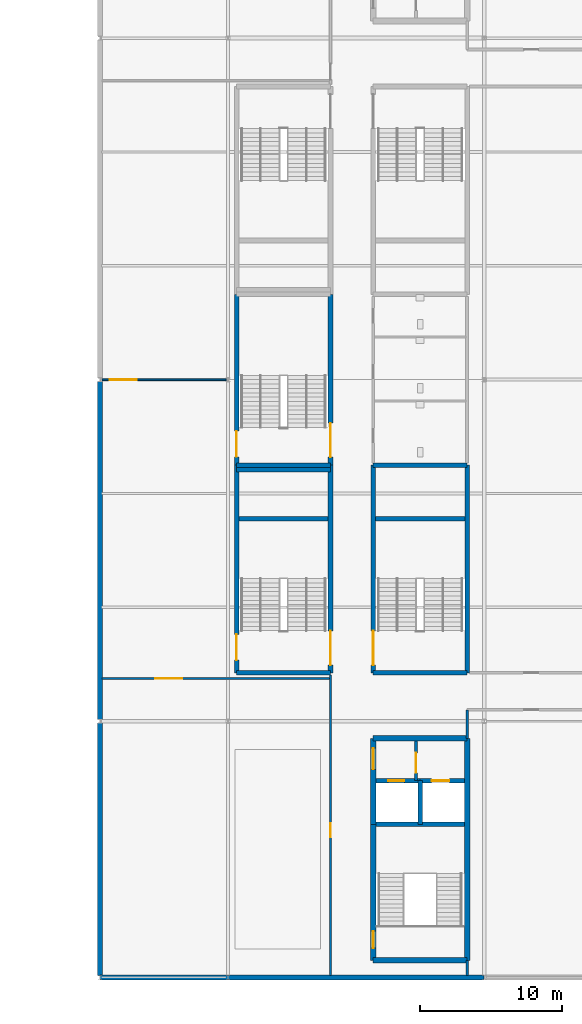
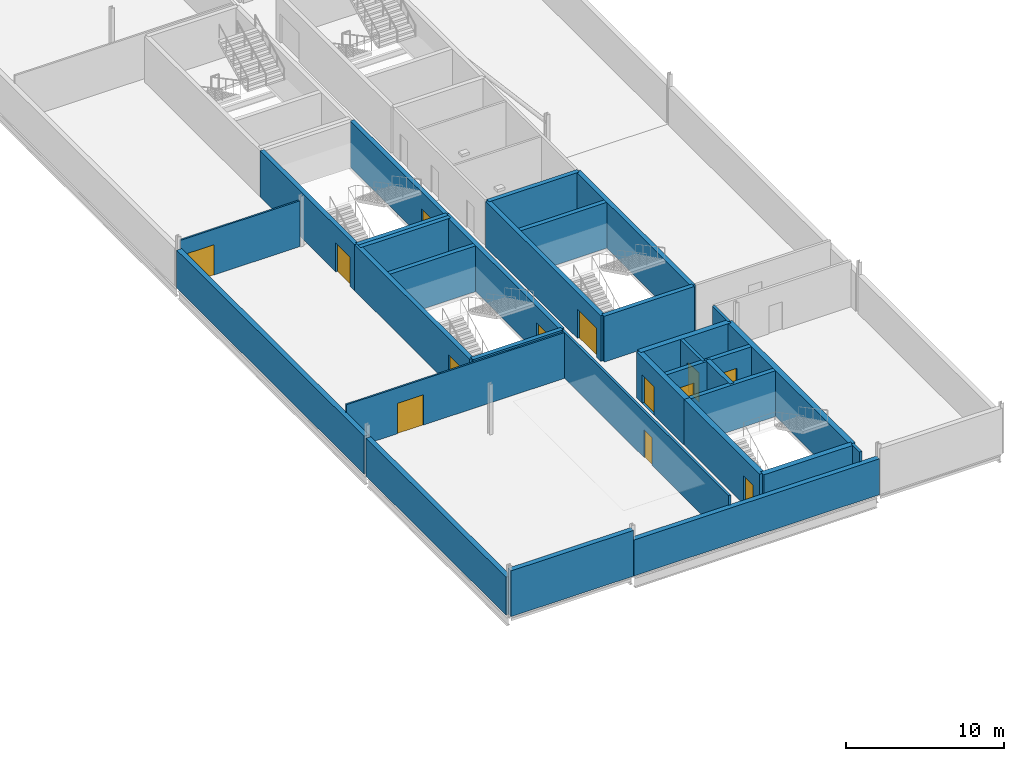
# One storey, part 17 of 30: 32 walls, 13 doors, 13 openings.
"""IFC4 building model written with IfcOpenShell, lengths in metres."""

from ifc_helpers import new_model, si_unit, direction, frame, frame_2d, origin, place, context, subcontext, project, spatial, rectangle, extrude, material, layer, layer_set, type_object, element, fill, save


model = new_model("IFC4")

# Units and contexts
model_context = context("Model", 3, precision=1e-05, world=origin(), true_north=direction((0.0, 1.0)))
body_context = subcontext(model_context, "Body", "Model", "MODEL_VIEW")
ifc_project = project(units=[si_unit("LENGTHUNIT", "METRE"), si_unit("AREAUNIT", "SQUARE_METRE"), si_unit("VOLUMEUNIT", "CUBIC_METRE"), si_unit("PLANEANGLEUNIT", "RADIAN"), si_unit("MASSUNIT", "GRAM", prefix="KILO")], contexts=[model_context])

# Site, building, storey
site_placement = place(None, origin())
site = spatial("IfcSite", under=ifc_project, at=site_placement, CompositionType="ELEMENT")
building_placement = place(site_placement, origin())
building = spatial("IfcBuilding", under=site, at=building_placement, Name="Kisiwana Market Hall", CompositionType="ELEMENT")
storey_placement = place(building_placement, frame((0.0, 0.0, 54.0)))
storey = spatial("IfcBuildingStorey", under=building, at=storey_placement, Name="L12", CompositionType="ELEMENT", Elevation=54.0)

# Wall, opening, door
ifc_material_1 = material(Name="Masonry blockwork", Category="masonry")
ifc_layer_1 = layer(ifc_material_1, 0.199951171875, Name="Plastered fire compartment block wall")
ifc_layer_set_1 = layer_set([ifc_layer_1], Name="WL-COMP-200")
wall_type_1 = type_object("IfcWallType", Name="WL-COMP-200", PredefinedType="PARTITIONING", material=ifc_layer_set_1)
wall_1_placement = place(storey_placement, frame((184.199951171875, 31.820068359375, 0.0), z_axis=(0.0, 0.0, 1.0), x_axis=(0.0, 1.0, 0.0)))
wall_1 = element("IfcWall", 1, at=wall_1_placement, inside=storey, type_object=wall_type_1, Name="Core E2 firefighting lobby wall W-3013", PredefinedType="PARTITIONING", context=body_context, shape_type="SweptSolid", body=[
    extrude(rectangle(XDim=2.780029296875, YDim=0.199951171875, at=frame_2d((1.39013671875, 0.0))), origin(), (0.0, 0.0, 1.0), 3.544921875),
])
opening_1_placement = place(wall_1_placement, frame((0.550048828125, 0.0, 0.0)))
opening_1 = element("IfcOpeningElement", 2, at=opening_1_placement, cuts=wall_1, Name="Opening DR-L12-009", PredefinedType="OPENING", context=body_context, shape_type="SweptSolid", body=[
    extrude(rectangle(XDim=1.39990234375, YDim=2.25, at=frame_2d((0.699951171875, 1.125))), frame((0.0, 0.11181640625, 0.0), z_axis=(0.0, -1.0, 0.0), x_axis=(1.0, 0.0, 0.0)), (0.0, 0.0, 1.0), 0.223876953125),
])
ifc_material_2 = material(Name="Steel S275", Category="steel")
door_type_1 = type_object("IfcDoorType", Name="DR-FFLOB-FD120-1400", OperationType="DOUBLE_DOOR_SINGLE_SWING", PredefinedType="DOOR", material=ifc_material_2)
door_1_placement = place(opening_1_placement, origin())
door_1 = element("IfcDoor", 3, at=door_1_placement, inside=storey, type_object=door_type_1, Name="Firefighting Lift Lobby E2 Door (L12)", OperationType="DOUBLE_DOOR_SINGLE_SWING", OverallHeight=2.25, OverallWidth=1.39990234375, PredefinedType="DOOR", context=body_context, shape_type="SweptSolid", body=[
    extrude(rectangle(XDim=1.39990234375, YDim=2.25, at=frame_2d((0.699951171875, 1.125))), frame((0.0, 0.02490234375, 0.0), z_axis=(0.0, -1.0, 0.0), x_axis=(1.0, 0.0, 0.0)), (0.0, 0.0, 1.0), 0.050048828125),
])
fill(opening_1, door_1)

# Walls
ifc_material_3 = material(Name="Concrete C40/50", Category="concrete")
ifc_layer_2 = layer(ifc_material_3, 0.320068359375, Name="Reinforced concrete shaft wall")
ifc_layer_set_2 = layer_set([ifc_layer_2], Name="WL-CORE-320")
wall_type_2 = type_object("IfcWallType", Name="WL-CORE-320", PredefinedType="SHEAR", material=ifc_layer_set_2)
wall_2_placement = place(storey_placement, frame((181.39990234375, 28.760009765625, 0.0), z_axis=(0.0, 0.0, 1.0), x_axis=(1.0, 0.0, 0.0)))
element("IfcWall", 4, at=wall_2_placement, inside=storey, type_object=wall_type_2, Name="Core E2 shaft back shear wall W-2922", PredefinedType="SHEAR", context=body_context, shape_type="SweptSolid", body=[
    extrude(rectangle(XDim=6.2001953125, YDim=0.320068359375, at=frame_2d((3.10009765625, 0.0))), origin(), (0.0, 0.0, 1.0), 3.544921875),
])
wall_3_placement = place(storey_placement, frame((184.5, 28.760009765625, 0.0), z_axis=(0.0, 0.0, 1.0), x_axis=(0.0, 1.0, 0.0)))
element("IfcWall", 5, at=wall_3_placement, inside=storey, type_object=wall_type_2, Name="Core E2 inter-shaft shear wall W-2923", PredefinedType="SHEAR", context=body_context, shape_type="SweptSolid", body=[
    extrude(rectangle(XDim=3.06005859375, YDim=0.320068359375, at=frame_2d((1.530029296875, 0.0))), origin(), (0.0, 0.0, 1.0), 3.544921875),
])

# Wall, opening, door
wall_4_placement = place(storey_placement, frame((181.39990234375, 31.820068359375, 0.0), z_axis=(0.0, 0.0, 1.0), x_axis=(1.0, 0.0, 0.0)))
wall_4 = element("IfcWall", 6, at=wall_4_placement, inside=storey, type_object=wall_type_2, Name="Core E2 west lift front wall W-2924", PredefinedType="SHEAR", context=body_context, shape_type="SweptSolid", body=[
    extrude(rectangle(XDim=3.10009765625, YDim=0.320068359375, at=frame_2d((1.550048828125, 0.0))), origin(), (0.0, 0.0, 1.0), 3.544921875),
])
opening_2_placement = place(wall_4_placement, frame((0.85009765625, 0.0, 0.0)))
opening_2 = element("IfcOpeningElement", 7, at=opening_2_placement, cuts=wall_4, Name="Opening LD-L12-005", PredefinedType="OPENING", context=body_context, shape_type="SweptSolid", body=[
    extrude(rectangle(XDim=1.14990234375, YDim=2.199951171875, at=frame_2d((0.574951171875, 1.10009765625))), frame((0.0, 0.171875, 0.0), z_axis=(0.0, -1.0, 0.0), x_axis=(1.0, 0.0, 0.0)), (0.0, 0.0, 1.0), 0.343994140625),
])
ifc_material_4 = material(Name="Steel S275", Category="steel")
door_type_2 = type_object("IfcDoorType", Name="DR-LIFT-PAX-1150", OperationType="DOUBLE_DOOR_SLIDING", PredefinedType="DOOR", material=ifc_material_4)
door_2_placement = place(opening_2_placement, origin())
door_2 = element("IfcDoor", 8, at=door_2_placement, inside=storey, type_object=door_type_2, Name="Lift Landing Door LP-03 (L12)", OperationType="DOUBLE_DOOR_SLIDING", OverallHeight=2.199951171875, OverallWidth=1.14990234375, PredefinedType="DOOR", context=body_context, shape_type="SweptSolid", body=[
    extrude(rectangle(XDim=1.14990234375, YDim=2.199951171875, at=frame_2d((0.574951171875, 1.10009765625))), frame((0.0, 0.02490234375, 0.0), z_axis=(0.0, -1.0, 0.0), x_axis=(1.0, 0.0, 0.0)), (0.0, 0.0, 1.0), 0.050048828125),
])
fill(opening_2, door_2)

wall_5_placement = place(storey_placement, frame((184.5, 31.820068359375, 0.0), z_axis=(0.0, 0.0, 1.0), x_axis=(1.0, 0.0, 0.0)))
wall_5 = element("IfcWall", 9, at=wall_5_placement, inside=storey, type_object=wall_type_2, Name="Core E2 east lift front wall W-2925", PredefinedType="SHEAR", context=body_context, shape_type="SweptSolid", body=[
    extrude(rectangle(XDim=3.10009765625, YDim=0.320068359375, at=frame_2d((1.550048828125, 0.0))), origin(), (0.0, 0.0, 1.0), 3.544921875),
])
opening_3_placement = place(wall_5_placement, frame((0.800048828125, 0.0, 0.0)))
opening_3 = element("IfcOpeningElement", 10, at=opening_3_placement, cuts=wall_5, Name="Opening LD-L12-006", PredefinedType="OPENING", context=body_context, shape_type="SweptSolid", body=[
    extrude(rectangle(XDim=1.25, YDim=2.25, at=frame_2d((0.625, 1.125))), frame((0.0, 0.171875, 0.0), z_axis=(0.0, -1.0, 0.0), x_axis=(1.0, 0.0, 0.0)), (0.0, 0.0, 1.0), 0.343994140625),
])
ifc_material_5 = material(Name="Steel S275", Category="steel")
door_type_3 = type_object("IfcDoorType", Name="DR-LIFT-FFL-1250", OperationType="DOUBLE_DOOR_SLIDING", PredefinedType="DOOR", material=ifc_material_5)
door_3_placement = place(opening_3_placement, origin())
door_3 = element("IfcDoor", 11, at=door_3_placement, inside=storey, type_object=door_type_3, Name="Lift Landing Door FFL-03 (L12)", OperationType="DOUBLE_DOOR_SLIDING", OverallHeight=2.25, OverallWidth=1.25, PredefinedType="DOOR", context=body_context, shape_type="SweptSolid", body=[
    extrude(rectangle(XDim=1.25, YDim=2.25, at=frame_2d((0.625, 1.125))), frame((0.0, 0.02490234375, 0.0), z_axis=(0.0, -1.0, 0.0), x_axis=(1.0, 0.0, 0.0)), (0.0, 0.0, 1.0), 0.050048828125),
])
fill(opening_3, door_3)

# Walls
for number, where, z_axis, x_axis, name in (
    (12, (181.199951171875, 39.39990234375, 0.0), (0.0, 0.0, 1.0), (1.0, 0.0, 0.0), "Core E3 south shear wall W-2945"),
    (13, (181.199951171875, 54.0, 0.0), (0.0, 0.0, 1.0), (1.0, 0.0, 0.0), "Core E3 north shear wall W-2946"),
):
    element("IfcWall", number, at=place(storey_placement, frame(where, z_axis=z_axis, x_axis=x_axis)), inside=storey, type_object=wall_type_2, Name=name, PredefinedType="SHEAR", context=body_context, shape_type="SweptSolid", body=[
        extrude(rectangle(XDim=6.60009765625, YDim=0.320068359375, at=frame_2d((3.300048828125, 0.0))), origin(), (0.0, 0.0, 1.0), 3.544921875),
    ])

# Wall, opening, door
wall_6_placement = place(storey_placement, frame((181.199951171875, 39.39990234375, 0.0), z_axis=(0.0, 0.0, 1.0), x_axis=(0.0, 1.0, 0.0)))
wall_6 = element("IfcWall", 14, at=wall_6_placement, inside=storey, type_object=wall_type_2, Name="Core E3 corridor shear wall W-2947", PredefinedType="SHEAR", context=body_context, shape_type="SweptSolid", body=[
    extrude(rectangle(XDim=14.60009765625, YDim=0.320068359375, at=frame_2d((7.300048828125, 0.0))), origin(), (0.0, 0.0, 1.0), 3.544921875),
])
opening_4_placement = place(wall_6_placement, frame((0.550048828125, 0.0, 0.0)))
opening_4 = element("IfcOpeningElement", 15, at=opening_4_placement, cuts=wall_6, Name="Opening DR-L12-015", PredefinedType="OPENING", context=body_context, shape_type="SweptSolid", body=[
    extrude(rectangle(XDim=2.39990234375, YDim=2.25, at=frame_2d((1.199951171875, 1.125))), frame((0.0, 0.171875, 0.0), z_axis=(0.0, -1.0, 0.0), x_axis=(1.0, 0.0, 0.0)), (0.0, 0.0, 1.0), 0.343994140625),
])
ifc_material_6 = material(Name="Steel S275", Category="steel")
door_type_4 = type_object("IfcDoorType", Name="DR-STAIR-FD120-2400", OperationType="DOUBLE_DOOR_SINGLE_SWING", PredefinedType="DOOR", material=ifc_material_6)
door_4_placement = place(opening_4_placement, frame((2.39990234375, 0.0, 0.0), z_axis=(0.0, 0.0, 1.0), x_axis=(-1.0, 0.0, 0.0)))
door_4 = element("IfcDoor", 16, at=door_4_placement, inside=storey, type_object=door_type_4, Name="Escape Stair E3 Fire Door (L12)", OperationType="DOUBLE_DOOR_SINGLE_SWING", OverallHeight=2.25, OverallWidth=2.39990234375, PredefinedType="DOOR", context=body_context, shape_type="SweptSolid", body=[
    extrude(rectangle(XDim=2.39990234375, YDim=2.25, at=frame_2d((1.199951171875, 1.125))), frame((0.0, 0.02490234375, 0.0), z_axis=(0.0, -1.0, 0.0), x_axis=(1.0, 0.0, 0.0)), (0.0, 0.0, 1.0), 0.050048828125),
])
fill(opening_4, door_4)

# Walls
wall_7_placement = place(storey_placement, frame((187.800048828125, 39.39990234375, 0.0), z_axis=(0.0, 0.0, 1.0), x_axis=(0.0, 1.0, 0.0)))
element("IfcWall", 17, at=wall_7_placement, inside=storey, type_object=wall_type_2, Name="Core E3 outer shear wall W-2948", PredefinedType="SHEAR", context=body_context, shape_type="SweptSolid", body=[
    extrude(rectangle(XDim=14.60009765625, YDim=0.320068359375, at=frame_2d((7.300048828125, 0.0))), origin(), (0.0, 0.0, 1.0), 3.544921875),
])
wall_8_placement = place(storey_placement, frame((181.360107421875, 50.219970703125, 0.0), z_axis=(0.0, 0.0, 1.0), x_axis=(1.0, 0.0, 0.0)))
element("IfcWall", 18, at=wall_8_placement, inside=storey, type_object=wall_type_2, Name="Core E3 riser divider shear wall W-2949", PredefinedType="SHEAR", context=body_context, shape_type="SweptSolid", body=[
    extrude(rectangle(XDim=6.27978515625, YDim=0.320068359375, at=frame_2d((3.139892578125, 0.0))), origin(), (0.0, 0.0, 1.0), 3.544921875),
])
for number, where, z_axis, x_axis, name in (
    (19, (171.60009765625, 39.39990234375, 0.0), (0.0, 0.0, 1.0), (1.0, 0.0, 0.0), "Core E7 south shear wall W-2960"),
    (20, (171.60009765625, 54.0, 0.0), (0.0, 0.0, 1.0), (1.0, 0.0, 0.0), "Core E7 north shear wall W-2961"),
):
    element("IfcWall", number, at=place(storey_placement, frame(where, z_axis=z_axis, x_axis=x_axis)), inside=storey, type_object=wall_type_2, Name=name, PredefinedType="SHEAR", context=body_context, shape_type="SweptSolid", body=[
        extrude(rectangle(XDim=6.599853515625, YDim=0.320068359375, at=frame_2d((3.2998046875, 0.0))), origin(), (0.0, 0.0, 1.0), 3.544921875),
    ])

# Wall, opening, door
wall_9_placement = place(storey_placement, frame((171.60009765625, 39.39990234375, 0.0), z_axis=(0.0, 0.0, 1.0), x_axis=(0.0, 1.0, 0.0)))
wall_9 = element("IfcWall", 21, at=wall_9_placement, inside=storey, type_object=wall_type_2, Name="Core E7 outer shear wall W-2962", PredefinedType="SHEAR", context=body_context, shape_type="SweptSolid", body=[
    extrude(rectangle(XDim=14.60009765625, YDim=0.320068359375, at=frame_2d((7.300048828125, 0.0))), origin(), (0.0, 0.0, 1.0), 3.544921875),
])
opening_5_placement = place(wall_9_placement, frame((0.89990234375, 0.0, 0.0)))
opening_5 = element("IfcOpeningElement", 22, at=opening_5_placement, cuts=wall_9, Name="Opening DR-L12-020", PredefinedType="OPENING", context=body_context, shape_type="SweptSolid", body=[
    extrude(rectangle(XDim=1.800048828125, YDim=2.25, at=frame_2d((0.89990234375, 1.125))), frame((0.0, 0.171875, 0.0), z_axis=(0.0, -1.0, 0.0), x_axis=(1.0, 0.0, 0.0)), (0.0, 0.0, 1.0), 0.343994140625),
])
ifc_material_7 = material(Name="Steel S275", Category="steel")
door_type_5 = type_object("IfcDoorType", Name="DR-STAIR-FD120-1800", OperationType="DOUBLE_DOOR_SINGLE_SWING", PredefinedType="DOOR", material=ifc_material_7)
door_5_placement = place(opening_5_placement, frame((1.800048828125, 0.0, 0.0), z_axis=(0.0, 0.0, 1.0), x_axis=(-1.0, 0.0, 0.0)))
door_5 = element("IfcDoor", 23, at=door_5_placement, inside=storey, type_object=door_type_5, Name="Escape Stair E7 Room Door (L12)", OperationType="DOUBLE_DOOR_SINGLE_SWING", OverallHeight=2.25, OverallWidth=1.800048828125, PredefinedType="DOOR", context=body_context, shape_type="SweptSolid", body=[
    extrude(rectangle(XDim=1.800048828125, YDim=2.25, at=frame_2d((0.89990234375, 1.125))), frame((0.0, 0.02490234375, 0.0), z_axis=(0.0, -1.0, 0.0), x_axis=(1.0, 0.0, 0.0)), (0.0, 0.0, 1.0), 0.050048828125),
])
fill(opening_5, door_5)

wall_10_placement = place(storey_placement, frame((178.199951171875, 39.39990234375, 0.0), z_axis=(0.0, 0.0, 1.0), x_axis=(0.0, 1.0, 0.0)))
wall_10 = element("IfcWall", 24, at=wall_10_placement, inside=storey, type_object=wall_type_2, Name="Core E7 corridor shear wall W-2963", PredefinedType="SHEAR", context=body_context, shape_type="SweptSolid", body=[
    extrude(rectangle(XDim=14.60009765625, YDim=0.320068359375, at=frame_2d((7.300048828125, 0.0))), origin(), (0.0, 0.0, 1.0), 3.544921875),
])
opening_6_placement = place(wall_10_placement, frame((0.550048828125, 0.0, 0.0)))
opening_6 = element("IfcOpeningElement", 25, at=opening_6_placement, cuts=wall_10, Name="Opening DR-L12-019", PredefinedType="OPENING", context=body_context, shape_type="SweptSolid", body=[
    extrude(rectangle(XDim=2.39990234375, YDim=2.25, at=frame_2d((1.199951171875, 1.125))), frame((0.0, 0.171875, 0.0), z_axis=(0.0, -1.0, 0.0), x_axis=(1.0, 0.0, 0.0)), (0.0, 0.0, 1.0), 0.343994140625),
])
door_6_placement = place(opening_6_placement, origin())
door_6 = element("IfcDoor", 26, at=door_6_placement, inside=storey, type_object=door_type_4, Name="Escape Stair E7 Fire Door (L12)", OperationType="DOUBLE_DOOR_SINGLE_SWING", OverallHeight=2.25, OverallWidth=2.39990234375, PredefinedType="DOOR", context=body_context, shape_type="SweptSolid", body=[
    extrude(rectangle(XDim=2.39990234375, YDim=2.25, at=frame_2d((1.199951171875, 1.125))), frame((0.0, 0.02490234375, 0.0), z_axis=(0.0, -1.0, 0.0), x_axis=(1.0, 0.0, 0.0)), (0.0, 0.0, 1.0), 0.050048828125),
])
fill(opening_6, door_6)

# Walls
wall_11_placement = place(storey_placement, frame((171.760009765625, 50.219970703125, 0.0), z_axis=(0.0, 0.0, 1.0), x_axis=(1.0, 0.0, 0.0)))
element("IfcWall", 27, at=wall_11_placement, inside=storey, type_object=wall_type_2, Name="Core E7 riser divider shear wall W-2964", PredefinedType="SHEAR", context=body_context, shape_type="SweptSolid", body=[
    extrude(rectangle(XDim=6.280029296875, YDim=0.320068359375, at=frame_2d((3.14013671875, 0.0))), origin(), (0.0, 0.0, 1.0), 3.544921875),
])
wall_12_placement = place(storey_placement, frame((171.60009765625, 53.679931640625, 0.0), z_axis=(0.0, 0.0, 1.0), x_axis=(1.0, 0.0, 0.0)))
element("IfcWall", 28, at=wall_12_placement, inside=storey, type_object=wall_type_2, Name="Core E5 south shear wall W-2979", PredefinedType="SHEAR", context=body_context, shape_type="SweptSolid", body=[
    extrude(rectangle(XDim=6.599853515625, YDim=0.320068359375, at=frame_2d((3.2998046875, 0.0))), origin(), (0.0, 0.0, 1.0), 3.544921875),
])

# Wall, opening, door
wall_13_placement = place(storey_placement, frame((171.60009765625, 54.0, 0.0), z_axis=(0.0, 0.0, 1.0), x_axis=(0.0, 1.0, 0.0)))
wall_13 = element("IfcWall", 29, at=wall_13_placement, inside=storey, type_object=wall_type_2, Name="Core E5 outer shear wall W-2981", PredefinedType="SHEAR", context=body_context, shape_type="SweptSolid", body=[
    extrude(rectangle(XDim=12.0, YDim=0.320068359375, at=frame_2d((6.0, 0.0))), origin(), (0.0, 0.0, 1.0), 3.544921875),
])
opening_7_placement = place(wall_13_placement, frame((0.580078125, 0.0, 0.0)))
opening_7 = element("IfcOpeningElement", 30, at=opening_7_placement, cuts=wall_13, Name="Opening DR-L12-026", PredefinedType="OPENING", context=body_context, shape_type="SweptSolid", body=[
    extrude(rectangle(XDim=1.800048828125, YDim=2.25, at=frame_2d((0.89990234375, 1.125))), frame((0.0, 0.171875, 0.0), z_axis=(0.0, -1.0, 0.0), x_axis=(1.0, 0.0, 0.0)), (0.0, 0.0, 1.0), 0.343994140625),
])
door_7_placement = place(opening_7_placement, frame((1.800048828125, 0.0, 0.0), z_axis=(0.0, 0.0, 1.0), x_axis=(-1.0, 0.0, 0.0)))
door_7 = element("IfcDoor", 31, at=door_7_placement, inside=storey, type_object=door_type_5, Name="Escape Stair E5 Room Door (L12)", OperationType="DOUBLE_DOOR_SINGLE_SWING", OverallHeight=2.25, OverallWidth=1.800048828125, PredefinedType="DOOR", context=body_context, shape_type="SweptSolid", body=[
    extrude(rectangle(XDim=1.800048828125, YDim=2.25, at=frame_2d((0.89990234375, 1.125))), frame((0.0, 0.02490234375, 0.0), z_axis=(0.0, -1.0, 0.0), x_axis=(1.0, 0.0, 0.0)), (0.0, 0.0, 1.0), 0.050048828125),
])
fill(opening_7, door_7)

wall_14_placement = place(storey_placement, frame((178.199951171875, 54.0, 0.0), z_axis=(0.0, 0.0, 1.0), x_axis=(0.0, 1.0, 0.0)))
wall_14 = element("IfcWall", 32, at=wall_14_placement, inside=storey, type_object=wall_type_2, Name="Core E5 corridor shear wall W-2982", PredefinedType="SHEAR", context=body_context, shape_type="SweptSolid", body=[
    extrude(rectangle(XDim=12.0, YDim=0.320068359375, at=frame_2d((6.0, 0.0))), origin(), (0.0, 0.0, 1.0), 3.544921875),
])
opening_8_placement = place(wall_14_placement, frame((0.550048828125, 0.0, 0.0)))
opening_8 = element("IfcOpeningElement", 33, at=opening_8_placement, cuts=wall_14, Name="Opening DR-L12-025", PredefinedType="OPENING", context=body_context, shape_type="SweptSolid", body=[
    extrude(rectangle(XDim=2.39990234375, YDim=2.25, at=frame_2d((1.199951171875, 1.125))), frame((0.0, 0.171875, 0.0), z_axis=(0.0, -1.0, 0.0), x_axis=(1.0, 0.0, 0.0)), (0.0, 0.0, 1.0), 0.343994140625),
])
door_8_placement = place(opening_8_placement, origin())
door_8 = element("IfcDoor", 34, at=door_8_placement, inside=storey, type_object=door_type_4, Name="Escape Stair E5 Fire Door (L12)", OperationType="DOUBLE_DOOR_SINGLE_SWING", OverallHeight=2.25, OverallWidth=2.39990234375, PredefinedType="DOOR", context=body_context, shape_type="SweptSolid", body=[
    extrude(rectangle(XDim=2.39990234375, YDim=2.25, at=frame_2d((1.199951171875, 1.125))), frame((0.0, 0.02490234375, 0.0), z_axis=(0.0, -1.0, 0.0), x_axis=(1.0, 0.0, 0.0)), (0.0, 0.0, 1.0), 0.050048828125),
])
fill(opening_8, door_8)

# Walls
ifc_material_8 = material(Name="Concrete C40/50", Category="concrete")
ifc_layer_3 = layer(ifc_material_8, 0.39990234375, Name="Reinforced concrete core wall")
ifc_layer_set_3 = layer_set([ifc_layer_3], Name="WL-CORE-400")
wall_type_3 = type_object("IfcWallType", Name="WL-CORE-400", PredefinedType="SHEAR", material=ifc_layer_set_3)
for number, where, z_axis, x_axis, name in (
    (35, (181.199951171875, 19.199951171875, 0.0), (0.0, 0.0, 1.0), (1.0, 0.0, 0.0), "Core E2 south shear wall W-2917"),
    (36, (181.199951171875, 34.800048828125, 0.0), (0.0, 0.0, 1.0), (1.0, 0.0, 0.0), "Core E2 north shear wall W-2918"),
):
    element("IfcWall", number, at=place(storey_placement, frame(where, z_axis=z_axis, x_axis=x_axis)), inside=storey, type_object=wall_type_3, Name=name, PredefinedType="SHEAR", context=body_context, shape_type="SweptSolid", body=[
        extrude(rectangle(XDim=6.60009765625, YDim=0.39990234375, at=frame_2d((3.300048828125, 0.0))), origin(), (0.0, 0.0, 1.0), 3.544921875),
    ])
wall_15_placement = place(storey_placement, frame((187.800048828125, 19.199951171875, 0.0), z_axis=(0.0, 0.0, 1.0), x_axis=(0.0, 1.0, 0.0)))
element("IfcWall", 37, at=wall_15_placement, inside=storey, type_object=wall_type_3, Name="Core E2 outer shear wall W-2919", PredefinedType="SHEAR", context=body_context, shape_type="SweptSolid", body=[
    extrude(rectangle(XDim=15.60009765625, YDim=0.39990234375, at=frame_2d((7.800048828125, 0.0))), origin(), (0.0, 0.0, 1.0), 3.544921875),
])

# Wall, opening, door
wall_16_placement = place(storey_placement, frame((181.199951171875, 19.199951171875, 0.0), z_axis=(0.0, 0.0, 1.0), x_axis=(0.0, 1.0, 0.0)))
wall_16 = element("IfcWall", 38, at=wall_16_placement, inside=storey, type_object=wall_type_3, Name="Core E2 stair corridor shear wall W-2920", PredefinedType="SHEAR", context=body_context, shape_type="SweptSolid", body=[
    extrude(rectangle(XDim=9.56005859375, YDim=0.39990234375, at=frame_2d((4.780029296875, 0.0))), origin(), (0.0, 0.0, 1.0), 3.544921875),
])
opening_9_placement = place(wall_16_placement, frame((0.85009765625, 0.0, 0.0)))
opening_9 = element("IfcOpeningElement", 39, at=opening_9_placement, cuts=wall_16, Name="Opening DR-L12-007", PredefinedType="OPENING", context=body_context, shape_type="SweptSolid", body=[
    extrude(rectangle(XDim=1.199951171875, YDim=2.199951171875, at=frame_2d((0.60009765625, 1.10009765625))), frame((0.0, 0.2119140625, 0.0), z_axis=(0.0, -1.0, 0.0), x_axis=(1.0, 0.0, 0.0)), (0.0, 0.0, 1.0), 0.423828125),
])
ifc_material_9 = material(Name="Steel S275", Category="steel")
door_type_6 = type_object("IfcDoorType", Name="DR-STAIR-FD120-1200", OperationType="NOTDEFINED", PredefinedType="DOOR", material=ifc_material_9)
door_9_placement = place(opening_9_placement, frame((1.199951171875, 0.0, 0.0), z_axis=(0.0, 0.0, 1.0), x_axis=(-1.0, 0.0, 0.0)))
door_9 = element("IfcDoor", 40, at=door_9_placement, inside=storey, type_object=door_type_6, Name="Escape Stair E2 Fire Door (L12)", OperationType="SINGLE_SWING_RIGHT", OverallHeight=2.199951171875, OverallWidth=1.199951171875, PredefinedType="DOOR", context=body_context, shape_type="SweptSolid", body=[
    extrude(rectangle(XDim=1.199951171875, YDim=2.199951171875, at=frame_2d((0.60009765625, 1.10009765625))), frame((0.0, 0.02490234375, 0.0), z_axis=(0.0, -1.0, 0.0), x_axis=(1.0, 0.0, 0.0)), (0.0, 0.0, 1.0), 0.050048828125),
])
fill(opening_9, door_9)

wall_17_placement = place(storey_placement, frame((181.199951171875, 28.760009765625, 0.0), z_axis=(0.0, 0.0, 1.0), x_axis=(0.0, 1.0, 0.0)))
wall_17 = element("IfcWall", 41, at=wall_17_placement, inside=storey, type_object=wall_type_3, Name="Core E2 lobby corridor shear wall W-2921", PredefinedType="SHEAR", context=body_context, shape_type="SweptSolid", body=[
    extrude(rectangle(XDim=6.0400390625, YDim=0.39990234375, at=frame_2d((3.02001953125, 0.0))), origin(), (0.0, 0.0, 1.0), 3.544921875),
])
opening_10_placement = place(wall_17_placement, frame((3.85009765625, 0.0, 0.0)))
opening_10 = element("IfcOpeningElement", 42, at=opening_10_placement, cuts=wall_17, Name="Opening DR-L12-008", PredefinedType="OPENING", context=body_context, shape_type="SweptSolid", body=[
    extrude(rectangle(XDim=1.5, YDim=2.199951171875, at=frame_2d((0.75, 1.10009765625))), frame((0.0, 0.2119140625, 0.0), z_axis=(0.0, -1.0, 0.0), x_axis=(1.0, 0.0, 0.0)), (0.0, 0.0, 1.0), 0.423828125),
])
ifc_material_10 = material(Name="Steel S275", Category="steel")
door_type_7 = type_object("IfcDoorType", Name="DR-CORR-FD60-1500", OperationType="DOUBLE_DOOR_SINGLE_SWING", PredefinedType="DOOR", material=ifc_material_10)
door_10_placement = place(opening_10_placement, origin())
door_10 = element("IfcDoor", 43, at=door_10_placement, inside=storey, type_object=door_type_7, Name="Passenger Lift Lobby E2 Smoke Door (L12)", OperationType="DOUBLE_DOOR_SINGLE_SWING", OverallHeight=2.199951171875, OverallWidth=1.5, PredefinedType="DOOR", context=body_context, shape_type="SweptSolid", body=[
    extrude(rectangle(XDim=1.5, YDim=2.199951171875, at=frame_2d((0.75, 1.10009765625))), frame((0.0, 0.02490234375, 0.0), z_axis=(0.0, -1.0, 0.0), x_axis=(1.0, 0.0, 0.0)), (0.0, 0.0, 1.0), 0.050048828125),
])
fill(opening_10, door_10)

ifc_material_11 = material(Name="Masonry blockwork", Category="masonry")
ifc_layer_4 = layer(ifc_material_11, 0.169921875, Name="Protected corridor partition")
ifc_layer_set_4 = layer_set([ifc_layer_4], Name="WL-CORR-170")
wall_type_4 = type_object("IfcWallType", Name="WL-CORR-170", PredefinedType="PARTITIONING", material=ifc_layer_set_4)
wall_18_placement = place(storey_placement, frame((178.199951171875, 18.14501953125, 0.0), z_axis=(0.0, 0.0, 1.0), x_axis=(0.0, 1.0, 0.0)))
wall_18 = element("IfcWall", 44, at=wall_18_placement, inside=storey, type_object=wall_type_4, Name="Interior partition W-3047", PredefinedType="PARTITIONING", context=body_context, shape_type="SweptSolid", body=[
    extrude(rectangle(XDim=21.094970703125, YDim=0.169921875, at=frame_2d((10.54736328125, 0.0))), origin(), (0.0, 0.0, 1.0), 3.544921875),
])
opening_11_placement = place(wall_18_placement, frame((9.715087890625, 0.0, 0.0)))
opening_11 = element("IfcOpeningElement", 45, at=opening_11_placement, cuts=wall_18, Name="Opening DR-L12-047", PredefinedType="OPENING", context=body_context, shape_type="SweptSolid", body=[
    extrude(rectangle(XDim=0.97998046875, YDim=2.14990234375, at=frame_2d((0.489990234375, 1.074951171875))), frame((0.0, 0.096923828125, 0.0), z_axis=(0.0, -1.0, 0.0), x_axis=(1.0, 0.0, 0.0)), (0.0, 0.0, 1.0), 0.19384765625),
])
ifc_material_12 = material(Name="Hardwood timber", Category="wood")
door_type_8 = type_object("IfcDoorType", Name="DR-STOR-FD60-0980", OperationType="NOTDEFINED", PredefinedType="DOOR", material=ifc_material_12)
door_11_placement = place(opening_11_placement, origin())
door_11 = element("IfcDoor", 46, at=door_11_placement, inside=storey, type_object=door_type_8, Name="L12 E Executive Office C1 Door", OperationType="SINGLE_SWING_LEFT", OverallHeight=2.14990234375, OverallWidth=0.97998046875, PredefinedType="DOOR", context=body_context, shape_type="SweptSolid", body=[
    extrude(rectangle(XDim=0.97998046875, YDim=2.14990234375, at=frame_2d((0.489990234375, 1.074951171875))), frame((0.0, 0.02490234375, 0.0), z_axis=(0.0, -1.0, 0.0), x_axis=(1.0, 0.0, 0.0)), (0.0, 0.0, 1.0), 0.050048828125),
])
fill(opening_11, door_11)

# Walls
ifc_material_13 = material(Name="Concrete C40/50 precast", Category="concrete")
ifc_layer_5 = layer(ifc_material_13, 0.364990234375)
ifc_layer_set_5 = layer_set([ifc_layer_5], Name="WL-EXT-365")
wall_type_5 = type_object("IfcWallType", Name="WL-EXT-365", PredefinedType="STANDARD", material=ifc_layer_set_5)
wall_19_placement = place(storey_placement, frame((162.010009765625, 18.0, 0.0), z_axis=(0.0, 0.0, 1.0), x_axis=(1.0, 0.0, 0.0)))
element("IfcWall", 47, at=wall_19_placement, inside=storey, type_object=wall_type_5, Name="Exterior wall W-2986", PredefinedType="STANDARD", context=body_context, shape_type="SweptSolid", body=[
    extrude(rectangle(XDim=8.97998046875, YDim=0.364990234375, at=frame_2d((4.489990234375, 0.0))), origin(), (0.0, 0.0, 1.0), 3.544921875),
])
wall_20_placement = place(storey_placement, frame((171.010009765625, 18.0, 0.0), z_axis=(0.0, 0.0, 1.0), x_axis=(1.0, 0.0, 0.0)))
element("IfcWall", 48, at=wall_20_placement, inside=storey, type_object=wall_type_5, Name="Exterior wall W-2987", PredefinedType="STANDARD", context=body_context, shape_type="SweptSolid", body=[
    extrude(rectangle(XDim=17.97998046875, YDim=0.364990234375, at=frame_2d((8.989990234375, 0.0))), origin(), (0.0, 0.0, 1.0), 2.78271484375),
])
wall_21_placement = place(storey_placement, frame((162.0, 18.131591796875, 0.0), z_axis=(0.0, 0.0, 1.0), x_axis=(0.0, 1.0, 0.0)))
element("IfcWall", 49, at=wall_21_placement, inside=storey, type_object=wall_type_5, Name="Exterior wall W-3003", PredefinedType="STANDARD", context=body_context, shape_type="SweptSolid", body=[
    extrude(rectangle(XDim=17.73681640625, YDim=0.364990234375, at=frame_2d((8.868408203125, 0.0))), origin(), (0.0, 0.0, 1.0), 2.932861328125),
])
wall_22_placement = place(storey_placement, frame((162.0, 36.131591796875, 0.0), z_axis=(0.0, 0.0, 1.0), x_axis=(0.0, 1.0, 0.0)))
element("IfcWall", 50, at=wall_22_placement, inside=storey, type_object=wall_type_5, Name="Exterior wall W-3004", PredefinedType="STANDARD", context=body_context, shape_type="SweptSolid", body=[
    extrude(rectangle(XDim=23.73681640625, YDim=0.364990234375, at=frame_2d((11.868408203125, 0.0))), origin(), (0.0, 0.0, 1.0), 2.932861328125),
])

# Wall, opening, door
ifc_material_14 = material(Name="Gypsum plasterboard")
ifc_layer_6 = layer(ifc_material_14, 0.125, Name="Double gypsum board + acoustic stud")
ifc_layer_set_6 = layer_set([ifc_layer_6], Name="WL-OFF-125")
wall_type_6 = type_object("IfcWallType", Name="WL-OFF-125", PredefinedType="PARTITIONING", material=ifc_layer_set_6)
wall_23_placement = place(storey_placement, frame((162.14501953125, 39.0, 0.0), z_axis=(0.0, 0.0, 1.0), x_axis=(1.0, 0.0, 0.0)))
wall_23 = element("IfcWall", 51, at=wall_23_placement, inside=storey, type_object=wall_type_6, Name="Interior partition W-3044", PredefinedType="PARTITIONING", context=body_context, shape_type="SweptSolid", body=[
    extrude(rectangle(XDim=15.969970703125, YDim=0.125, at=frame_2d((7.98486328125, 0.0))), origin(), (0.0, 0.0, 1.0), 3.544921875),
])
opening_12_placement = place(wall_23_placement, frame((3.75, 0.0, 0.0)))
opening_12 = element("IfcOpeningElement", 52, at=opening_12_placement, cuts=wall_23, Name="Opening DR-L12-045", PredefinedType="OPENING", context=body_context, shape_type="SweptSolid", body=[
    extrude(rectangle(XDim=1.89990234375, YDim=2.35009765625, at=frame_2d((0.949951171875, 1.175048828125))), frame((0.0, 0.074462890625, 0.0), z_axis=(0.0, -1.0, 0.0), x_axis=(1.0, 0.0, 0.0)), (0.0, 0.0, 1.0), 0.14892578125),
])
ifc_material_15 = material(Name="Steel S275", Category="steel")
door_type_9 = type_object("IfcDoorType", Name="DR-HALL-1900", OperationType="DOUBLE_DOOR_SINGLE_SWING", PredefinedType="DOOR", material=ifc_material_15)
door_12_placement = place(opening_12_placement, origin())
door_12 = element("IfcDoor", 53, at=door_12_placement, inside=storey, type_object=door_type_9, Name="L12 E Director Boardroom C2 Exit Door", OperationType="DOUBLE_DOOR_SINGLE_SWING", OverallHeight=2.35009765625, OverallWidth=1.89990234375, PredefinedType="DOOR", context=body_context, shape_type="SweptSolid", body=[
    extrude(rectangle(XDim=1.89990234375, YDim=2.35009765625, at=frame_2d((0.949951171875, 1.175048828125))), frame((0.0, 0.02490234375, 0.0), z_axis=(0.0, -1.0, 0.0), x_axis=(1.0, 0.0, 0.0)), (0.0, 0.0, 1.0), 0.050048828125),
])
fill(opening_12, door_12)

wall_24_placement = place(storey_placement, frame((162.14501953125, 60.0, 0.0), z_axis=(0.0, 0.0, 1.0), x_axis=(1.0, 0.0, 0.0)))
wall_24 = element("IfcWall", 54, at=wall_24_placement, inside=storey, type_object=wall_type_6, Name="Interior partition W-3045", PredefinedType="PARTITIONING", context=body_context, shape_type="SweptSolid", body=[
    extrude(rectangle(XDim=8.724853515625, YDim=0.125, at=frame_2d((4.3623046875, 0.0))), origin(), (0.0, 0.0, 1.0), 3.544921875),
])
opening_13_placement = place(wall_24_placement, frame((0.550048828125, 0.0, 0.0)))
opening_13 = element("IfcOpeningElement", 55, at=opening_13_placement, cuts=wall_24, Name="Opening DR-L12-046", PredefinedType="OPENING", context=body_context, shape_type="SweptSolid", body=[
    extrude(rectangle(XDim=1.89990234375, YDim=2.35009765625, at=frame_2d((0.949951171875, 1.175048828125))), frame((0.0, 0.074462890625, 0.0), z_axis=(0.0, -1.0, 0.0), x_axis=(1.0, 0.0, 0.0)), (0.0, 0.0, 1.0), 0.14892578125),
])
door_13_placement = place(opening_13_placement, origin())
door_13 = element("IfcDoor", 56, at=door_13_placement, inside=storey, type_object=door_type_9, Name="L12 E Director Boardroom C2 Exit Door", OperationType="DOUBLE_DOOR_SINGLE_SWING", OverallHeight=2.35009765625, OverallWidth=1.89990234375, PredefinedType="DOOR", context=body_context, shape_type="SweptSolid", body=[
    extrude(rectangle(XDim=1.89990234375, YDim=2.35009765625, at=frame_2d((0.949951171875, 1.175048828125))), frame((0.0, 0.02490234375, 0.0), z_axis=(0.0, -1.0, 0.0), x_axis=(1.0, 0.0, 0.0)), (0.0, 0.0, 1.0), 0.050048828125),
])
fill(opening_13, door_13)

# Walls
ifc_material_16 = material(Name="Concrete C32/40", Category="concrete")
ifc_layer_7 = layer(ifc_material_16, 0.18505859375)
ifc_layer_set_7 = layer_set([ifc_layer_7], Name="WL-PART-185")
wall_type_7 = type_object("IfcWallType", Name="WL-PART-185", PredefinedType="PARTITIONING", material=ifc_layer_set_7)
wall_25_placement = place(storey_placement, frame((187.800048828125, 34.800048828125, 0.0), z_axis=(0.0, 0.0, 1.0), x_axis=(0.0, 1.0, 0.0)))
element("IfcWall", 57, at=wall_25_placement, inside=storey, type_object=wall_type_7, Name="Interior partition W-3036", PredefinedType="PARTITIONING", context=body_context, shape_type="SweptSolid", body=[
    extrude(rectangle(XDim=2.0, YDim=0.18505859375, at=frame_2d((1.0, 0.0))), origin(), (0.0, 0.0, 1.0), 3.544921875),
])
wall_26_placement = place(storey_placement, frame((187.800048828125, 18.14501953125, 0.0), z_axis=(0.0, 0.0, 1.0), x_axis=(0.0, 1.0, 0.0)))
element("IfcWall", 58, at=wall_26_placement, inside=storey, type_object=wall_type_7, Name="Interior partition W-3038", PredefinedType="PARTITIONING", context=body_context, shape_type="SweptSolid", body=[
    extrude(rectangle(XDim=1.054931640625, YDim=0.18505859375, at=frame_2d((0.52734375, 0.0))), origin(), (0.0, 0.0, 1.0), 3.544921875),
])

save(model, "model.ifc")
